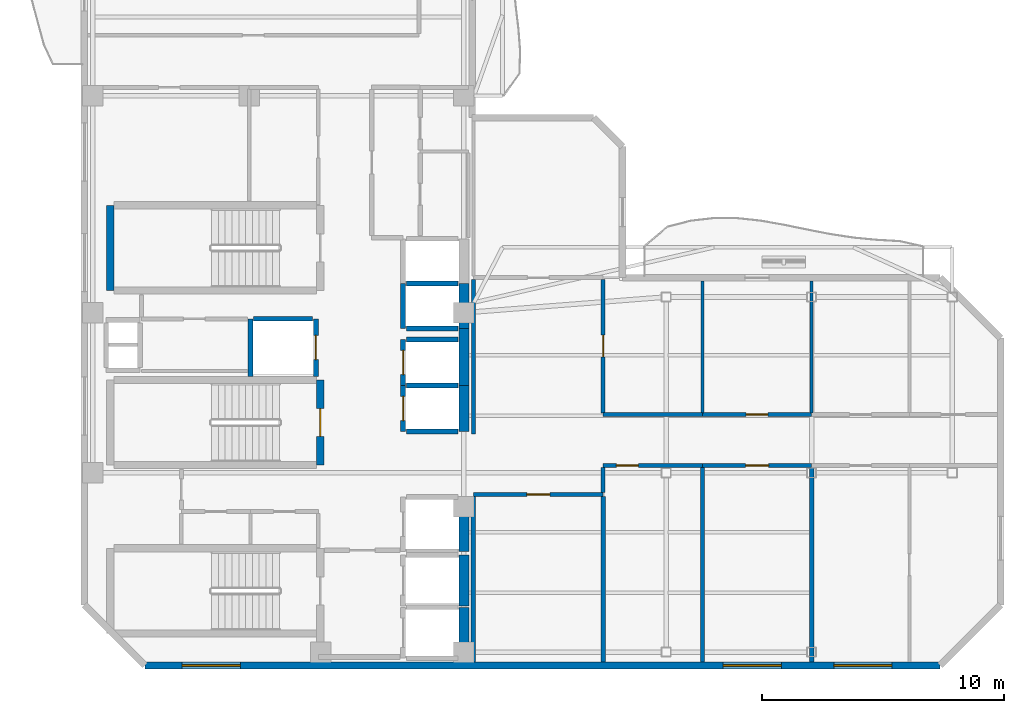
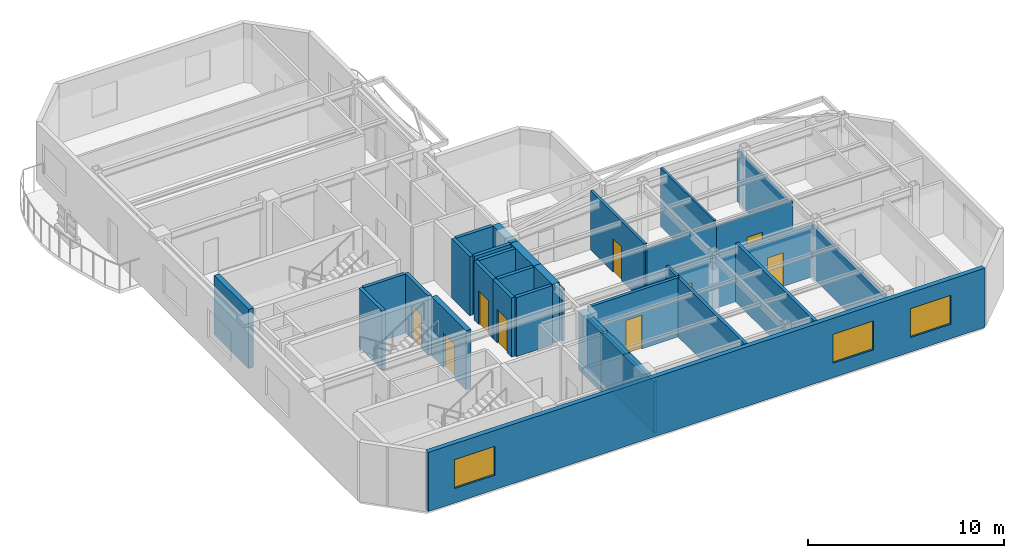
# One storey, part 3 of 7: 34 walls, 9 doors, 3 windows, 12 openings.
"""IFC4 building model written with IfcOpenShell, lengths in metres."""

from ifc_helpers import new_model, si_unit, direction, frame, frame_2d, origin, place, context, subcontext, project, spatial, rectangle, extrude, material, layer, layer_set, type_object, element, fill, save


model = new_model("IFC4")

# Units and contexts
model_context = context("Model", 3, precision=1e-05, world=origin(), true_north=direction((0.0, 1.0)))
body_context = subcontext(model_context, "Body", "Model", "MODEL_VIEW")
ifc_project = project(units=[si_unit("LENGTHUNIT", "METRE"), si_unit("AREAUNIT", "SQUARE_METRE"), si_unit("VOLUMEUNIT", "CUBIC_METRE"), si_unit("PLANEANGLEUNIT", "RADIAN"), si_unit("MASSUNIT", "GRAM", prefix="KILO")], contexts=[model_context])

# Site, building, storey
site_placement = place(None, origin())
site = spatial("IfcSite", under=ifc_project, at=site_placement, CompositionType="ELEMENT")
building_placement = place(site_placement, origin())
building = spatial("IfcBuilding", under=site, at=building_placement, Name="Mawjaban Terraces University", CompositionType="ELEMENT")
storey_placement = place(building_placement, frame((0.0, 0.0, 275.5)))
storey = spatial("IfcBuildingStorey", under=building, at=storey_placement, Name="L67", CompositionType="ELEMENT", Elevation=275.5)

# Wall, opening, door
ifc_material_1 = material(Name="Acoustic masonry blockwork", Category="masonry")
ifc_layer_1 = layer(ifc_material_1, 0.179931640625)
ifc_layer_set_1 = layer_set([ifc_layer_1], Name="Acoustic masonry blockwork")
wall_type_1 = type_object("IfcWallType", Name="AcousticStudioWall_180", PredefinedType="PARTITIONING", material=ifc_layer_set_1)
wall_1_placement = place(storey_placement, frame((38.050048828125, 7.050048828125, 0.0), z_axis=(0.0, 0.0, 1.0), x_axis=(1.0, 0.0, 0.0)))
wall_1 = element("IfcWall", 1, at=wall_1_placement, inside=storey, type_object=wall_type_1, Name="L67 Upper Research Hub Concourse Partition 15", PredefinedType="PARTITIONING", context=body_context, shape_type="SweptSolid", body=[
    extrude(rectangle(XDim=5.349853515625, YDim=0.179931640625, at=frame_2d((2.6748046875, 0.0))), origin(), (0.0, 0.0, 1.0), 3.68994140625),
])
opening_1_placement = place(wall_1_placement, frame((2.199951171875, 0.0, 0.0)))
opening_1 = element("IfcOpeningElement", 2, at=opening_1_placement, cuts=wall_1, Name="Opening ID-095", PredefinedType="OPENING", context=body_context, shape_type="SweptSolid", body=[
    extrude(rectangle(XDim=0.949951171875, YDim=2.10009765625, at=frame_2d((0.47509765625, 1.050048828125))), frame((0.0, 0.099853515625, 0.0), z_axis=(0.0, -1.0, 0.0), x_axis=(1.0, 0.0, 0.0)), (0.0, 0.0, 1.0), 0.199951171875),
])
ifc_material_2 = material(Name="Powder-coated steel frame and solid acoustic timber leaf", Category="steel")
door_type_1 = type_object("IfcDoorType", Name="StudioDoor_950x2100", OperationType="NOTDEFINED", PredefinedType="DOOR", material=ifc_material_2)
door_1_placement = place(opening_1_placement, origin())
door_1 = element("IfcDoor", 3, at=door_1_placement, inside=storey, type_object=door_type_1, Name="L67 Media Workshop 1 Door", OperationType="SINGLE_SWING_RIGHT", OverallHeight=2.10009765625, OverallWidth=0.949951171875, PredefinedType="DOOR", context=body_context, shape_type="SweptSolid", body=[
    extrude(rectangle(XDim=0.949951171875, YDim=2.10009765625, at=frame_2d((0.47509765625, 1.050048828125))), frame((0.0, 0.02490234375, 0.0), z_axis=(0.0, -1.0, 0.0), x_axis=(1.0, 0.0, 0.0)), (0.0, 0.0, 1.0), 0.050048828125),
])
fill(opening_1, door_1)

wall_2_placement = place(storey_placement, frame((47.5, 8.25, 0.0), z_axis=(0.0, 0.0, 1.0), x_axis=(1.0, 0.0, 0.0)))
wall_2 = element("IfcWall", 4, at=wall_2_placement, inside=storey, type_object=wall_type_1, Name="L67 Upper East Research Corridor Partition 18", PredefinedType="PARTITIONING", context=body_context, shape_type="SweptSolid", body=[
    extrude(rectangle(XDim=4.5, YDim=0.179931640625, at=frame_2d((2.25, 0.0))), origin(), (0.0, 0.0, 1.0), 3.22705078125),
])
opening_2_placement = place(wall_2_placement, frame((1.77490234375, 0.0, 0.0)))
opening_2 = element("IfcOpeningElement", 5, at=opening_2_placement, cuts=wall_2, Name="Opening ID-095", PredefinedType="OPENING", context=body_context, shape_type="SweptSolid", body=[
    extrude(rectangle(XDim=0.949951171875, YDim=2.10009765625, at=frame_2d((0.47509765625, 1.050048828125))), frame((0.0, 0.099853515625, 0.0), z_axis=(0.0, -1.0, 0.0), x_axis=(1.0, 0.0, 0.0)), (0.0, 0.0, 1.0), 0.199951171875),
])
door_2_placement = place(opening_2_placement, origin())
door_2 = element("IfcDoor", 6, at=door_2_placement, inside=storey, type_object=door_type_1, Name="L67 Media Workshop 4 Door", OperationType="SINGLE_SWING_LEFT", OverallHeight=2.10009765625, OverallWidth=0.949951171875, PredefinedType="DOOR", context=body_context, shape_type="SweptSolid", body=[
    extrude(rectangle(XDim=0.949951171875, YDim=2.10009765625, at=frame_2d((0.47509765625, 1.050048828125))), frame((0.0, 0.02490234375, 0.0), z_axis=(0.0, -1.0, 0.0), x_axis=(1.0, 0.0, 0.0)), (0.0, 0.0, 1.0), 0.050048828125),
])
fill(opening_2, door_2)

# Walls
wall_3_placement = place(storey_placement, frame((38.050048828125, 6.965087890625, 0.0), z_axis=(0.0, 0.0, 1.0), x_axis=(0.0, -1.0, 0.0)))
element("IfcWall", 7, at=wall_3_placement, inside=storey, type_object=wall_type_1, Name="L67 Media Workshop 1 Partition 38", PredefinedType="PARTITIONING", context=body_context, shape_type="SweptSolid", body=[
    extrude(rectangle(XDim=6.83203125, YDim=0.179931640625, at=frame_2d((3.416015625, 0.0))), origin(), (0.0, 0.0, 1.0), 3.22705078125),
])
wall_4_placement = place(storey_placement, frame((43.39990234375, 0.133056640625, 0.0), z_axis=(0.0, 0.0, 1.0), x_axis=(0.0, 1.0, 0.0)))
element("IfcWall", 8, at=wall_4_placement, inside=storey, type_object=wall_type_1, Name="L67 Media Workshop 1 Partition 41", PredefinedType="PARTITIONING", context=body_context, shape_type="SweptSolid", body=[
    extrude(rectangle(XDim=6.83203125, YDim=0.179931640625, at=frame_2d((3.416015625, 0.0))), origin(), (0.0, 0.0, 1.0), 3.68994140625),
])
wall_5_placement = place(storey_placement, frame((47.5, 0.133056640625, 0.0), z_axis=(0.0, 0.0, 1.0), x_axis=(0.0, 1.0, 0.0)))
element("IfcWall", 9, at=wall_5_placement, inside=storey, type_object=wall_type_1, Name="L67 Quiet Reading Room 2 Partition 44", PredefinedType="PARTITIONING", context=body_context, shape_type="SweptSolid", body=[
    extrude(rectangle(XDim=8.031982421875, YDim=0.179931640625, at=frame_2d((4.01611328125, 0.0))), origin(), (0.0, 0.0, 1.0), 3.68994140625),
])
wall_6_placement = place(storey_placement, frame((52.0, 0.133056640625, 0.0), z_axis=(0.0, 0.0, 1.0), x_axis=(0.0, 1.0, 0.0)))
element("IfcWall", 10, at=wall_6_placement, inside=storey, type_object=wall_type_1, Name="L67 Media Workshop 4 Partition 46", PredefinedType="PARTITIONING", context=body_context, shape_type="SweptSolid", body=[
    extrude(rectangle(XDim=8.031982421875, YDim=0.179931640625, at=frame_2d((4.01611328125, 0.0))), origin(), (0.0, 0.0, 1.0), 3.22705078125),
])
ifc_material_3 = material(Name="Concrete C50/60", Category="concrete")
ifc_layer_2 = layer(ifc_material_3, 0.419921875)
ifc_layer_set_2 = layer_set([ifc_layer_2], Name="Concrete C50/60")
wall_type_2 = type_object("IfcWallType", Name="CoreShearWall_420", PredefinedType="SHEAR", material=ifc_layer_set_2)
wall_7_placement = place(storey_placement, frame((37.659912109375, 0.300048828125, 0.0), z_axis=(0.0, 0.0, 1.0), x_axis=(0.0, 1.0, 0.0)))
element("IfcWall", 11, at=wall_7_placement, inside=storey, type_object=wall_type_2, Name="L67 Lift FL-1 Hoistway Wall East", PredefinedType="SHEAR", context=body_context, shape_type="SweptSolid", body=[
    extrude(rectangle(XDim=2.099853515625, YDim=0.419921875, at=frame_2d((1.0498046875, 0.0))), origin(), (0.0, 0.0, 1.0), 3.68994140625),
])
wall_8_placement = place(storey_placement, frame((37.659912109375, 2.449951171875, 0.0), z_axis=(0.0, 0.0, 1.0), x_axis=(0.0, 1.0, 0.0)))
element("IfcWall", 12, at=wall_8_placement, inside=storey, type_object=wall_type_2, Name="L67 Lift FL-2 Hoistway Wall East", PredefinedType="SHEAR", context=body_context, shape_type="SweptSolid", body=[
    extrude(rectangle(XDim=2.10009765625, YDim=0.419921875, at=frame_2d((1.050048828125, 0.0))), origin(), (0.0, 0.0, 1.0), 3.68994140625),
])
wall_9_placement = place(storey_placement, frame((37.659912109375, 4.699951171875, 0.0), z_axis=(0.0, 0.0, 1.0), x_axis=(0.0, 1.0, 0.0)))
element("IfcWall", 13, at=wall_9_placement, inside=storey, type_object=wall_type_2, Name="L67 Lift SL-1 Hoistway Wall East", PredefinedType="SHEAR", context=body_context, shape_type="SweptSolid", body=[
    extrude(rectangle(XDim=2.25, YDim=0.419921875, at=frame_2d((1.125, 0.0))), origin(), (0.0, 0.0, 1.0), 3.68994140625),
])
wall_10_placement = place(storey_placement, frame((37.659912109375, 9.64990234375, 0.0), z_axis=(0.0, 0.0, 1.0), x_axis=(0.0, 1.0, 0.0)))
element("IfcWall", 14, at=wall_10_placement, inside=storey, type_object=wall_type_2, Name="L67 Lift PL-H1 Hoistway Wall East", PredefinedType="SHEAR", context=body_context, shape_type="SweptSolid", body=[
    extrude(rectangle(XDim=1.900146484375, YDim=0.419921875, at=frame_2d((0.9501953125, 0.0))), origin(), (0.0, 0.0, 1.0), 3.68994140625),
])
wall_11_placement = place(storey_placement, frame((37.659912109375, 11.550048828125, 0.0), z_axis=(0.0, 0.0, 1.0), x_axis=(0.0, 1.0, 0.0)))
element("IfcWall", 15, at=wall_11_placement, inside=storey, type_object=wall_type_2, Name="L67 Lift PL-H2 Hoistway Wall East", PredefinedType="SHEAR", context=body_context, shape_type="SweptSolid", body=[
    extrude(rectangle(XDim=2.349853515625, YDim=0.419921875, at=frame_2d((1.1748046875, 0.0))), origin(), (0.0, 0.0, 1.0), 3.68994140625),
])
wall_12_placement = place(storey_placement, frame((37.659912109375, 13.89990234375, 0.0), z_axis=(0.0, 0.0, 1.0), x_axis=(0.0, 1.0, 0.0)))
element("IfcWall", 16, at=wall_12_placement, inside=storey, type_object=wall_type_2, Name="L67 Lift OL-1 Hoistway Wall East", PredefinedType="SHEAR", context=body_context, shape_type="SweptSolid", body=[
    extrude(rectangle(XDim=1.85009765625, YDim=0.419921875, at=frame_2d((0.925048828125, 0.0))), origin(), (0.0, 0.0, 1.0), 3.68994140625),
])

# Wall, opening, door
ifc_material_4 = material(Name="Fire-rated gypsum board on steel stud", Category="steel")
ifc_layer_3 = layer(ifc_material_4, 0.159912109375)
ifc_layer_set_3 = layer_set([ifc_layer_3], Name="Fire-rated gypsum board on steel stud")
wall_type_3 = type_object("IfcWallType", Name="CorridorPartition_160", PredefinedType="PARTITIONING", material=ifc_layer_set_3)
wall_13_placement = place(storey_placement, frame((43.39990234375, 8.25, 0.0), z_axis=(0.0, 0.0, 1.0), x_axis=(1.0, 0.0, 0.0)))
wall_13 = element("IfcWall", 17, at=wall_13_placement, inside=storey, type_object=wall_type_3, Name="L67 Upper East Research Corridor Partition 16", PredefinedType="PARTITIONING", context=body_context, shape_type="SweptSolid", body=[
    extrude(rectangle(XDim=4.10009765625, YDim=0.159912109375, at=frame_2d((2.050048828125, 0.0))), origin(), (0.0, 0.0, 1.0), 3.22705078125),
])
opening_3_placement = place(wall_13_placement, frame((0.550048828125, 0.0, 0.0)))
opening_3 = element("IfcOpeningElement", 18, at=opening_3_placement, cuts=wall_13, Name="Opening ID-090", PredefinedType="OPENING", context=body_context, shape_type="SweptSolid", body=[
    extrude(rectangle(XDim=0.89990234375, YDim=2.10009765625, at=frame_2d((0.449951171875, 1.050048828125))), frame((0.0, 0.08984375, 0.0), z_axis=(0.0, -1.0, 0.0), x_axis=(1.0, 0.0, 0.0)), (0.0, 0.0, 1.0), 0.179931640625),
])
door_type_2 = type_object("IfcDoorType", Name="OfficeDoor_900x2100", OperationType="NOTDEFINED", PredefinedType="DOOR", material=ifc_material_2)
door_3_placement = place(opening_3_placement, origin())
door_3 = element("IfcDoor", 19, at=door_3_placement, inside=storey, type_object=door_type_2, Name="L67 Quiet Reading Room 2 Door", OperationType="SINGLE_SWING_LEFT", OverallHeight=2.10009765625, OverallWidth=0.89990234375, PredefinedType="DOOR", context=body_context, shape_type="SweptSolid", body=[
    extrude(rectangle(XDim=0.89990234375, YDim=2.10009765625, at=frame_2d((0.449951171875, 1.050048828125))), frame((0.0, 0.02490234375, 0.0), z_axis=(0.0, -1.0, 0.0), x_axis=(1.0, 0.0, 0.0)), (0.0, 0.0, 1.0), 0.050048828125),
])
fill(opening_3, door_3)

# Wall
wall_14_placement = place(storey_placement, frame((47.5, 10.35009765625, 0.0), z_axis=(0.0, 0.0, 1.0), x_axis=(-1.0, 0.0, 0.0)))
element("IfcWall", 20, at=wall_14_placement, inside=storey, type_object=wall_type_3, Name="L67 Upper East Research Corridor Partition 19", PredefinedType="PARTITIONING", context=body_context, shape_type="SweptSolid", body=[
    extrude(rectangle(XDim=4.10009765625, YDim=0.159912109375, at=frame_2d((2.050048828125, 0.0))), origin(), (0.0, 0.0, 1.0), 3.424072265625),
])

# Wall, opening, door
wall_15_placement = place(storey_placement, frame((52.0, 10.35009765625, 0.0), z_axis=(0.0, 0.0, 1.0), x_axis=(-1.0, 0.0, 0.0)))
wall_15 = element("IfcWall", 21, at=wall_15_placement, inside=storey, type_object=wall_type_3, Name="L67 Upper East Research Corridor Partition 21", PredefinedType="PARTITIONING", context=body_context, shape_type="SweptSolid", body=[
    extrude(rectangle(XDim=4.5, YDim=0.159912109375, at=frame_2d((2.25, 0.0))), origin(), (0.0, 0.0, 1.0), 3.424072265625),
])
opening_4_placement = place(wall_15_placement, frame((1.800048828125, 0.0, 0.0)))
opening_4 = element("IfcOpeningElement", 22, at=opening_4_placement, cuts=wall_15, Name="Opening ID-090", PredefinedType="OPENING", context=body_context, shape_type="SweptSolid", body=[
    extrude(rectangle(XDim=0.89990234375, YDim=2.10009765625, at=frame_2d((0.449951171875, 1.050048828125))), frame((0.0, 0.08984375, 0.0), z_axis=(0.0, -1.0, 0.0), x_axis=(1.0, 0.0, 0.0)), (0.0, 0.0, 1.0), 0.179931640625),
])
door_4_placement = place(opening_4_placement, origin())
door_4 = element("IfcDoor", 23, at=door_4_placement, inside=storey, type_object=door_type_2, Name="L67 Quiet Reading Room 5 Door", OperationType="SINGLE_SWING_RIGHT", OverallHeight=2.10009765625, OverallWidth=0.89990234375, PredefinedType="DOOR", context=body_context, shape_type="SweptSolid", body=[
    extrude(rectangle(XDim=0.89990234375, YDim=2.10009765625, at=frame_2d((0.449951171875, 1.050048828125))), frame((0.0, 0.02490234375, 0.0), z_axis=(0.0, -1.0, 0.0), x_axis=(1.0, 0.0, 0.0)), (0.0, 0.0, 1.0), 0.050048828125),
])
fill(opening_4, door_4)

# Walls
wall_16_placement = place(storey_placement, frame((38.050048828125, 15.925048828125, 0.0), z_axis=(0.0, 0.0, 1.0), x_axis=(0.0, -1.0, 0.0)))
element("IfcWall", 24, at=wall_16_placement, inside=storey, type_object=wall_type_3, Name="L67 Upper Research Hub Concourse Partition 39", PredefinedType="PARTITIONING", context=body_context, shape_type="SweptSolid", body=[
    extrude(rectangle(XDim=6.375, YDim=0.159912109375, at=frame_2d((3.1875, 0.0))), origin(), (0.0, 0.0, 1.0), 3.22705078125),
])
wall_17_placement = place(storey_placement, frame((43.39990234375, 7.135009765625, 0.0), z_axis=(0.0, 0.0, 1.0), x_axis=(0.0, 1.0, 0.0)))
element("IfcWall", 25, at=wall_17_placement, inside=storey, type_object=wall_type_3, Name="L67 Upper Research Hub Concourse Partition 42", PredefinedType="PARTITIONING", context=body_context, shape_type="SweptSolid", body=[
    extrude(rectangle(XDim=1.0400390625, YDim=0.159912109375, at=frame_2d((0.52001953125, 0.0))), origin(), (0.0, 0.0, 1.0), 3.68994140625),
])

# Wall, opening, door
wall_18_placement = place(storey_placement, frame((43.39990234375, 10.425048828125, 0.0), z_axis=(0.0, 0.0, 1.0), x_axis=(0.0, 1.0, 0.0)))
wall_18 = element("IfcWall", 26, at=wall_18_placement, inside=storey, type_object=wall_type_3, Name="L67 Upper Research Hub Concourse Partition 43", PredefinedType="PARTITIONING", context=body_context, shape_type="SweptSolid", body=[
    extrude(rectangle(XDim=5.5, YDim=0.159912109375, at=frame_2d((2.75, 0.0))), origin(), (0.0, 0.0, 1.0), 3.68994140625),
])
opening_5_placement = place(wall_18_placement, frame((2.300048828125, 0.0, 0.0)))
opening_5 = element("IfcOpeningElement", 27, at=opening_5_placement, cuts=wall_18, Name="Opening ID-090", PredefinedType="OPENING", context=body_context, shape_type="SweptSolid", body=[
    extrude(rectangle(XDim=0.89990234375, YDim=2.10009765625, at=frame_2d((0.449951171875, 1.050048828125))), frame((0.0, 0.08984375, 0.0), z_axis=(0.0, -1.0, 0.0), x_axis=(1.0, 0.0, 0.0)), (0.0, 0.0, 1.0), 0.179931640625),
])
door_5_placement = place(opening_5_placement, origin())
door_5 = element("IfcDoor", 28, at=door_5_placement, inside=storey, type_object=door_type_2, Name="L67 Reading Salon 3 Door", OperationType="SINGLE_SWING_RIGHT", OverallHeight=2.10009765625, OverallWidth=0.89990234375, PredefinedType="DOOR", context=body_context, shape_type="SweptSolid", body=[
    extrude(rectangle(XDim=0.89990234375, YDim=2.10009765625, at=frame_2d((0.449951171875, 1.050048828125))), frame((0.0, 0.02490234375, 0.0), z_axis=(0.0, -1.0, 0.0), x_axis=(1.0, 0.0, 0.0)), (0.0, 0.0, 1.0), 0.050048828125),
])
fill(opening_5, door_5)

# Wall, openings, windows
ifc_material_5 = material(Name="Insulated terracotta rainscreen on concrete backup C40/50", Category="masonry")
ifc_layer_4 = layer(ifc_material_5, 0.27490234375)
ifc_layer_set_4 = layer_set([ifc_layer_4], Name="Insulated terracotta rainscreen on concrete backup C40/50")
wall_type_4 = type_object("IfcWallType", Name="ExtTerracottaWall_275", PredefinedType="SOLIDWALL", material=ifc_layer_set_4)
wall_19_placement = place(storey_placement, frame((24.5, 0.0, 0.0), z_axis=(0.0, 0.0, 1.0), x_axis=(1.0, 0.0, 0.0)))
wall_19 = element("IfcWall", 29, at=wall_19_placement, inside=storey, type_object=wall_type_4, Name="L67 Exterior Terracotta Wall 1", PredefinedType="SOLIDWALL", context=body_context, shape_type="SweptSolid", body=[
    extrude(rectangle(XDim=32.800048828125, YDim=0.27490234375, at=frame_2d((16.39990234375, 0.0))), origin(), (0.0, 0.0, 1.0), 3.68994140625),
])
opening_6_placement = place(wall_19_placement, frame((1.532958984375, 0.0, 0.89990234375)))
opening_6 = element("IfcOpeningElement", 30, at=opening_6_placement, cuts=wall_19, Name="Opening W-08", PredefinedType="OPENING", context=body_context, shape_type="SweptSolid", body=[
    extrude(rectangle(XDim=2.39990234375, YDim=1.800048828125, at=frame_2d((1.199951171875, 0.89990234375))), frame((0.0, 0.1474609375, 0.0), z_axis=(0.0, -1.0, 0.0), x_axis=(1.0, 0.0, 0.0)), (0.0, 0.0, 1.0), 0.294921875),
])
opening_7_placement = place(wall_19_placement, frame((23.85009765625, 0.0, 0.89990234375)))
opening_7 = element("IfcOpeningElement", 31, at=opening_7_placement, cuts=wall_19, Name="Opening W-08", PredefinedType="OPENING", context=body_context, shape_type="SweptSolid", body=[
    extrude(rectangle(XDim=2.39990234375, YDim=1.800048828125, at=frame_2d((1.199951171875, 0.89990234375))), frame((0.0, 0.1474609375, 0.0), z_axis=(0.0, -1.0, 0.0), x_axis=(1.0, 0.0, 0.0)), (0.0, 0.0, 1.0), 0.294921875),
])
opening_8_placement = place(wall_19_placement, frame((28.4169921875, 0.0, 0.89990234375)))
opening_8 = element("IfcOpeningElement", 32, at=opening_8_placement, cuts=wall_19, Name="Opening W-08", PredefinedType="OPENING", context=body_context, shape_type="SweptSolid", body=[
    extrude(rectangle(XDim=2.39990234375, YDim=1.800048828125, at=frame_2d((1.199951171875, 0.89990234375))), frame((0.0, 0.1474609375, 0.0), z_axis=(0.0, -1.0, 0.0), x_axis=(1.0, 0.0, 0.0)), (0.0, 0.0, 1.0), 0.294921875),
])
ifc_material_6 = material(Name="Low-E solar-control double glazing in thermally broken aluminium frame", Category="aluminium")
window_type = type_object("IfcWindowType", Name="Win_2400x1800", PartitioningType="SINGLE_PANEL", PredefinedType="WINDOW", material=ifc_material_6)
window_1_placement = place(opening_6_placement, origin())
window_1 = element("IfcWindow", 33, at=window_1_placement, inside=storey, type_object=window_type, Name="L67 Facade Window 1.1", OverallHeight=1.800048828125, OverallWidth=2.39990234375, PartitioningType="SINGLE_PANEL", PredefinedType="WINDOW", context=body_context, shape_type="SweptSolid", body=[
    extrude(rectangle(XDim=2.39990234375, YDim=1.800048828125, at=frame_2d((1.199951171875, 0.89990234375))), frame((0.0, 0.030029296875, 0.0), z_axis=(0.0, -1.0, 0.0), x_axis=(1.0, 0.0, 0.0)), (0.0, 0.0, 1.0), 0.06005859375),
])
fill(opening_6, window_1)
window_2_placement = place(opening_7_placement, origin())
window_2 = element("IfcWindow", 34, at=window_2_placement, inside=storey, type_object=window_type, Name="L67 Facade Window 1.5", OverallHeight=1.800048828125, OverallWidth=2.39990234375, PartitioningType="SINGLE_PANEL", PredefinedType="WINDOW", context=body_context, shape_type="SweptSolid", body=[
    extrude(rectangle(XDim=2.39990234375, YDim=1.800048828125, at=frame_2d((1.199951171875, 0.89990234375))), frame((0.0, 0.030029296875, 0.0), z_axis=(0.0, -1.0, 0.0), x_axis=(1.0, 0.0, 0.0)), (0.0, 0.0, 1.0), 0.06005859375),
])
fill(opening_7, window_2)
window_3_placement = place(opening_8_placement, origin())
window_3 = element("IfcWindow", 35, at=window_3_placement, inside=storey, type_object=window_type, Name="L67 Facade Window 1.6", OverallHeight=1.800048828125, OverallWidth=2.39990234375, PartitioningType="SINGLE_PANEL", PredefinedType="WINDOW", context=body_context, shape_type="SweptSolid", body=[
    extrude(rectangle(XDim=2.39990234375, YDim=1.800048828125, at=frame_2d((1.199951171875, 0.89990234375))), frame((0.0, 0.030029296875, 0.0), z_axis=(0.0, -1.0, 0.0), x_axis=(1.0, 0.0, 0.0)), (0.0, 0.0, 1.0), 0.06005859375),
])
fill(opening_8, window_3)

# Wall, opening, door
ifc_material_7 = material(Name="Concrete C40/50", Category="concrete")
ifc_layer_5 = layer(ifc_material_7, 0.199951171875)
ifc_layer_set_5 = layer_set([ifc_layer_5], Name="Concrete C40/50")
wall_type_5 = type_object("IfcWallType", Name="FireLobbyWall_200", PredefinedType="SOLIDWALL", material=ifc_layer_set_5)
wall_20_placement = place(storey_placement, frame((35.14990234375, 11.550048828125, 0.0), z_axis=(0.0, 0.0, 1.0), x_axis=(0.0, -1.0, 0.0)))
wall_20 = element("IfcWall", 36, at=wall_20_placement, inside=storey, type_object=wall_type_5, Name="L67 Lift PL-H1 Hoistway Wall West", PredefinedType="SOLIDWALL", context=body_context, shape_type="SweptSolid", body=[
    extrude(rectangle(XDim=1.900146484375, YDim=0.199951171875, at=frame_2d((0.9501953125, 0.0))), origin(), (0.0, 0.0, 1.0), 3.68994140625),
])
opening_9_placement = place(wall_20_placement, frame((0.449951171875, 0.0, 0.0)))
opening_9 = element("IfcOpeningElement", 37, at=opening_9_placement, cuts=wall_20, Name="Opening LD-PL-H1", PredefinedType="OPENING", context=body_context, shape_type="SweptSolid", body=[
    extrude(rectangle(XDim=1.0, YDim=2.10009765625, at=frame_2d((0.5, 1.050048828125))), frame((0.0, 0.10986328125, 0.0), z_axis=(0.0, -1.0, 0.0), x_axis=(1.0, 0.0, 0.0)), (0.0, 0.0, 1.0), 0.219970703125),
])
ifc_material_8 = material(Name="Powder-coated steel frame and fire-rated steel-faced leaf", Category="steel")
door_type_3 = type_object("IfcDoorType", Name="LiftLandingSliding_1000x2100", OperationType="NOTDEFINED", PredefinedType="DOOR", material=ifc_material_8)
door_6_placement = place(opening_9_placement, origin())
door_6 = element("IfcDoor", 38, at=door_6_placement, inside=storey, type_object=door_type_3, Name="L67 Lift PL-H1 Sliding Landing Door", OperationType="DOUBLE_DOOR_SLIDING", OverallHeight=2.10009765625, OverallWidth=1.0, PredefinedType="DOOR", context=body_context, shape_type="SweptSolid", body=[
    extrude(rectangle(XDim=1.0, YDim=2.10009765625, at=frame_2d((0.5, 1.050048828125))), frame((0.0, 0.02490234375, 0.0), z_axis=(0.0, -1.0, 0.0), x_axis=(1.0, 0.0, 0.0)), (0.0, 0.0, 1.0), 0.050048828125),
])
fill(opening_9, door_6)

# Walls
for number, where, z_axis, x_axis, name in (
    (39, (35.280029296875, 9.64990234375, 0.0), (0.0, 0.0, 1.0), (1.0, 0.0, 0.0), "L67 Lift PL-H1 Hoistway Wall South"),
    (40, (37.419921875, 11.550048828125, 0.0), (0.0, 0.0, 1.0), (-1.0, 0.0, 0.0), "L67 Lift PL-H1 Hoistway Wall North"),
):
    element("IfcWall", number, at=place(storey_placement, frame(where, z_axis=z_axis, x_axis=x_axis)), inside=storey, type_object=wall_type_5, Name=name, PredefinedType="SOLIDWALL", context=body_context, shape_type="SweptSolid", body=[
        extrude(rectangle(XDim=2.139892578125, YDim=0.199951171875, at=frame_2d((1.06982421875, 0.0))), origin(), (0.0, 0.0, 1.0), 3.68994140625),
    ])

# Wall, opening, door
wall_21_placement = place(storey_placement, frame((35.14990234375, 13.449951171875, 0.0), z_axis=(0.0, 0.0, 1.0), x_axis=(0.0, -1.0, 0.0)))
wall_21 = element("IfcWall", 41, at=wall_21_placement, inside=storey, type_object=wall_type_5, Name="L67 Lift PL-H2 Hoistway Wall West", PredefinedType="SOLIDWALL", context=body_context, shape_type="SweptSolid", body=[
    extrude(rectangle(XDim=1.89990234375, YDim=0.199951171875, at=frame_2d((0.949951171875, 0.0))), origin(), (0.0, 0.0, 1.0), 3.68994140625),
])
opening_10_placement = place(wall_21_placement, frame((0.449951171875, 0.0, 0.0)))
opening_10 = element("IfcOpeningElement", 42, at=opening_10_placement, cuts=wall_21, Name="Opening LD-PL-H2", PredefinedType="OPENING", context=body_context, shape_type="SweptSolid", body=[
    extrude(rectangle(XDim=1.0, YDim=2.10009765625, at=frame_2d((0.5, 1.050048828125))), frame((0.0, 0.10986328125, 0.0), z_axis=(0.0, -1.0, 0.0), x_axis=(1.0, 0.0, 0.0)), (0.0, 0.0, 1.0), 0.219970703125),
])
door_7_placement = place(opening_10_placement, origin())
door_7 = element("IfcDoor", 43, at=door_7_placement, inside=storey, type_object=door_type_3, Name="L67 Lift PL-H2 Sliding Landing Door", OperationType="DOUBLE_DOOR_SLIDING", OverallHeight=2.10009765625, OverallWidth=1.0, PredefinedType="DOOR", context=body_context, shape_type="SweptSolid", body=[
    extrude(rectangle(XDim=1.0, YDim=2.10009765625, at=frame_2d((0.5, 1.050048828125))), frame((0.0, 0.02490234375, 0.0), z_axis=(0.0, -1.0, 0.0), x_axis=(1.0, 0.0, 0.0)), (0.0, 0.0, 1.0), 0.050048828125),
])
fill(opening_10, door_7)

# Walls
wall_22_placement = place(storey_placement, frame((37.419921875, 13.449951171875, 0.0), z_axis=(0.0, 0.0, 1.0), x_axis=(-1.0, 0.0, 0.0)))
element("IfcWall", 44, at=wall_22_placement, inside=storey, type_object=wall_type_5, Name="L67 Lift PL-H2 Hoistway Wall North", PredefinedType="SOLIDWALL", context=body_context, shape_type="SweptSolid", body=[
    extrude(rectangle(XDim=2.139892578125, YDim=0.199951171875, at=frame_2d((1.06982421875, 0.0))), origin(), (0.0, 0.0, 1.0), 3.68994140625),
])
wall_23_placement = place(storey_placement, frame((28.85009765625, 14.300048828125, 0.0), z_axis=(0.0, 0.0, 1.0), x_axis=(0.0, -1.0, 0.0)))
element("IfcWall", 45, at=wall_23_placement, inside=storey, type_object=wall_type_5, Name="L67 Lift PL-H3 Hoistway Wall West", PredefinedType="SOLIDWALL", context=body_context, shape_type="SweptSolid", body=[
    extrude(rectangle(XDim=2.3701171875, YDim=0.199951171875, at=frame_2d((1.18505859375, 0.0))), origin(), (0.0, 0.0, 1.0), 3.68994140625),
])

# Wall, opening, door
wall_24_placement = place(storey_placement, frame((31.550048828125, 11.929931640625, 0.0), z_axis=(0.0, 0.0, 1.0), x_axis=(0.0, 1.0, 0.0)))
wall_24 = element("IfcWall", 46, at=wall_24_placement, inside=storey, type_object=wall_type_5, Name="L67 Lift PL-H3 Hoistway Wall East", PredefinedType="SOLIDWALL", context=body_context, shape_type="SweptSolid", body=[
    extrude(rectangle(XDim=2.3701171875, YDim=0.199951171875, at=frame_2d((1.18505859375, 0.0))), origin(), (0.0, 0.0, 1.0), 3.68994140625),
])
opening_11_placement = place(wall_24_placement, frame((0.68505859375, 0.0, 0.0)))
opening_11 = element("IfcOpeningElement", 47, at=opening_11_placement, cuts=wall_24, Name="Opening LD-PL-H3", PredefinedType="OPENING", context=body_context, shape_type="SweptSolid", body=[
    extrude(rectangle(XDim=1.0, YDim=2.10009765625, at=frame_2d((0.5, 1.050048828125))), frame((0.0, 0.10986328125, 0.0), z_axis=(0.0, -1.0, 0.0), x_axis=(1.0, 0.0, 0.0)), (0.0, 0.0, 1.0), 0.219970703125),
])
door_8_placement = place(opening_11_placement, origin())
door_8 = element("IfcDoor", 48, at=door_8_placement, inside=storey, type_object=door_type_3, Name="L67 Lift PL-H3 Sliding Landing Door", OperationType="DOUBLE_DOOR_SLIDING", OverallHeight=2.10009765625, OverallWidth=1.0, PredefinedType="DOOR", context=body_context, shape_type="SweptSolid", body=[
    extrude(rectangle(XDim=1.0, YDim=2.10009765625, at=frame_2d((0.5, 1.050048828125))), frame((0.0, 0.02490234375, 0.0), z_axis=(0.0, -1.0, 0.0), x_axis=(1.0, 0.0, 0.0)), (0.0, 0.0, 1.0), 0.050048828125),
])
fill(opening_11, door_8)

# Walls
wall_25_placement = place(storey_placement, frame((31.419921875, 14.300048828125, 0.0), z_axis=(0.0, 0.0, 1.0), x_axis=(-1.0, 0.0, 0.0)))
element("IfcWall", 49, at=wall_25_placement, inside=storey, type_object=wall_type_5, Name="L67 Lift PL-H3 Hoistway Wall North", PredefinedType="SOLIDWALL", context=body_context, shape_type="SweptSolid", body=[
    extrude(rectangle(XDim=2.43994140625, YDim=0.199951171875, at=frame_2d((1.219970703125, 0.0))), origin(), (0.0, 0.0, 1.0), 3.68994140625),
])
wall_26_placement = place(storey_placement, frame((35.14990234375, 15.75, 0.0), z_axis=(0.0, 0.0, 1.0), x_axis=(0.0, -1.0, 0.0)))
element("IfcWall", 50, at=wall_26_placement, inside=storey, type_object=wall_type_5, Name="L67 Lift OL-1 Hoistway Wall West", PredefinedType="SOLIDWALL", context=body_context, shape_type="SweptSolid", body=[
    extrude(rectangle(XDim=1.85009765625, YDim=0.199951171875, at=frame_2d((0.925048828125, 0.0))), origin(), (0.0, 0.0, 1.0), 3.68994140625),
])
for number, where, z_axis, x_axis, name in (
    (51, (35.280029296875, 13.89990234375, 0.0), (0.0, 0.0, 1.0), (1.0, 0.0, 0.0), "L67 Lift OL-1 Hoistway Wall South"),
    (52, (37.419921875, 15.75, 0.0), (0.0, 0.0, 1.0), (-1.0, 0.0, 0.0), "L67 Lift OL-1 Hoistway Wall North"),
):
    element("IfcWall", number, at=place(storey_placement, frame(where, z_axis=z_axis, x_axis=x_axis)), inside=storey, type_object=wall_type_5, Name=name, PredefinedType="SOLIDWALL", context=body_context, shape_type="SweptSolid", body=[
        extrude(rectangle(XDim=2.139892578125, YDim=0.199951171875, at=frame_2d((1.06982421875, 0.0))), origin(), (0.0, 0.0, 1.0), 3.68994140625),
    ])
ifc_material_9 = material(Name="Gypsum plasterboard on steel stud", Category="steel")
ifc_layer_6 = layer(ifc_material_9, 0.125)
ifc_layer_set_6 = layer_set([ifc_layer_6], Name="Gypsum plasterboard on steel stud")
wall_type_6 = type_object("IfcWallType", Name="OfficePartition_125", PredefinedType="PARTITIONING", material=ifc_layer_set_6)
wall_27_placement = place(storey_placement, frame((47.5, 10.425048828125, 0.0), z_axis=(0.0, 0.0, 1.0), x_axis=(0.0, 1.0, 0.0)))
element("IfcWall", 53, at=wall_27_placement, inside=storey, type_object=wall_type_6, Name="L67 Reading Salon 3 Partition 45", PredefinedType="PARTITIONING", context=body_context, shape_type="SweptSolid", body=[
    extrude(rectangle(XDim=5.44189453125, YDim=0.125, at=frame_2d((2.720947265625, 0.0))), origin(), (0.0, 0.0, 1.0), 3.68994140625),
])
wall_28_placement = place(storey_placement, frame((52.0, 10.425048828125, 0.0), z_axis=(0.0, 0.0, 1.0), x_axis=(0.0, 1.0, 0.0)))
element("IfcWall", 54, at=wall_28_placement, inside=storey, type_object=wall_type_6, Name="L67 Quiet Reading Room 5 Partition 47", PredefinedType="PARTITIONING", context=body_context, shape_type="SweptSolid", body=[
    extrude(rectangle(XDim=5.44189453125, YDim=0.125, at=frame_2d((2.720947265625, 0.0))), origin(), (0.0, 0.0, 1.0), 3.22705078125),
])
ifc_material_10 = material(Name="Concrete C60/75", Category="concrete")
ifc_layer_7 = layer(ifc_material_10, 0.300048828125)
ifc_layer_set_7 = layer_set([ifc_layer_7], Name="Concrete C60/75")
wall_type_7 = type_object("IfcWallType", Name="StairShaftWall_300", PredefinedType="SHEAR", material=ifc_layer_set_7)
wall_29_placement = place(storey_placement, frame((23.070068359375, 18.97998046875, 0.0), z_axis=(0.0, 0.0, 1.0), x_axis=(0.0, -1.0, 0.0)))
element("IfcWall", 55, at=wall_29_placement, inside=storey, type_object=wall_type_7, Name="L67 ST-2 Stair Shaft Wall 2", PredefinedType="SHEAR", context=body_context, shape_type="SweptSolid", body=[
    extrude(rectangle(XDim=3.510009765625, YDim=0.300048828125, at=frame_2d((1.7548828125, 0.0))), origin(), (0.0, 0.0, 1.0), 3.68994140625),
])

# Wall, opening, door
wall_30_placement = place(storey_placement, frame((31.72998046875, 8.27001953125, 0.0), z_axis=(0.0, 0.0, 1.0), x_axis=(0.0, 1.0, 0.0)))
wall_30 = element("IfcWall", 56, at=wall_30_placement, inside=storey, type_object=wall_type_7, Name="L67 ST-3 Stair Shaft Wall 4", PredefinedType="SHEAR", context=body_context, shape_type="SweptSolid", body=[
    extrude(rectangle(XDim=3.510009765625, YDim=0.300048828125, at=frame_2d((1.7548828125, 0.0))), origin(), (0.0, 0.0, 1.0), 3.68994140625),
])
opening_12_placement = place(wall_30_placement, frame((1.179931640625, 0.0, 0.0)))
opening_12 = element("IfcOpeningElement", 57, at=opening_12_placement, cuts=wall_30, Name="Opening FD-115", PredefinedType="OPENING", context=body_context, shape_type="SweptSolid", body=[
    extrude(rectangle(XDim=1.14990234375, YDim=2.14990234375, at=frame_2d((0.574951171875, 1.074951171875))), frame((0.0, 0.159912109375, 0.0), z_axis=(0.0, -1.0, 0.0), x_axis=(1.0, 0.0, 0.0)), (0.0, 0.0, 1.0), 0.320068359375),
])
door_type_4 = type_object("IfcDoorType", Name="FireStairDoor_1150x2150", OperationType="NOTDEFINED", PredefinedType="DOOR", material=ifc_material_8)
door_9_placement = place(opening_12_placement, origin())
door_9 = element("IfcDoor", 58, at=door_9_placement, inside=storey, type_object=door_type_4, Name="L67 ST-3 Pressurised Stair Fire Door", OperationType="SINGLE_SWING_LEFT", OverallHeight=2.14990234375, OverallWidth=1.14990234375, PredefinedType="DOOR", context=body_context, shape_type="SweptSolid", body=[
    extrude(rectangle(XDim=1.14990234375, YDim=2.14990234375, at=frame_2d((0.574951171875, 1.074951171875))), frame((0.0, 0.02490234375, 0.0), z_axis=(0.0, -1.0, 0.0), x_axis=(1.0, 0.0, 0.0)), (0.0, 0.0, 1.0), 0.050048828125),
])
fill(opening_12, door_9)

save(model, "model.ifc")
